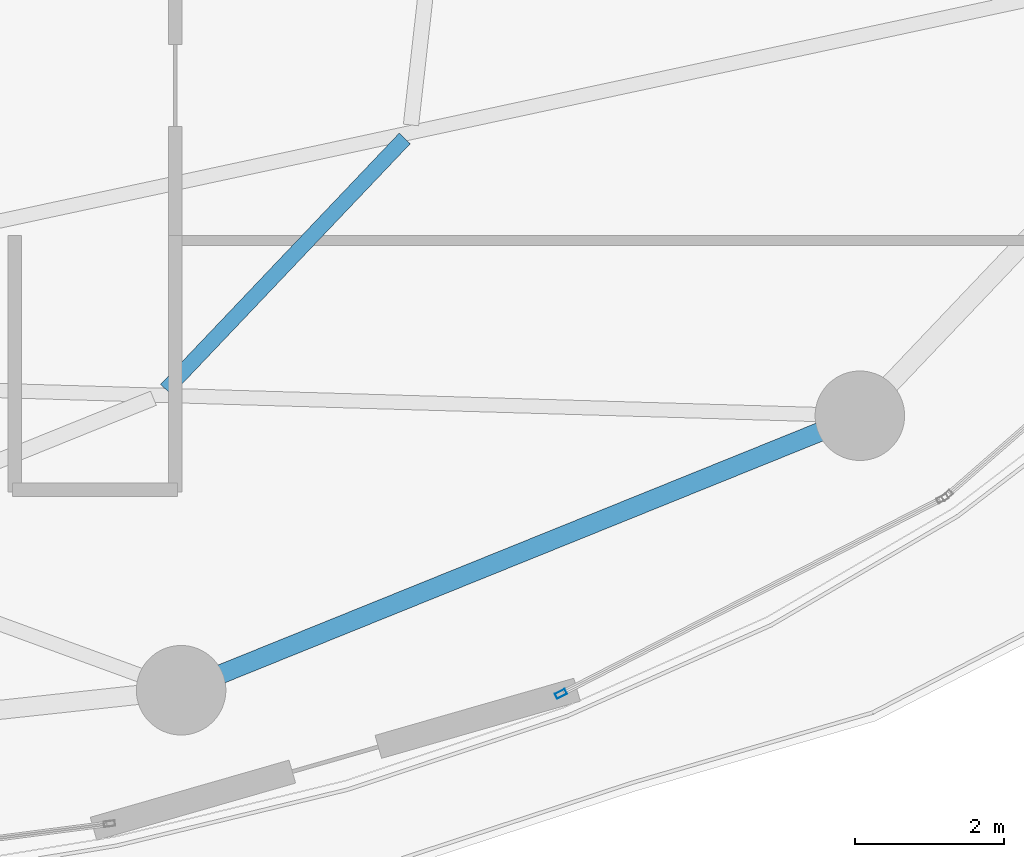
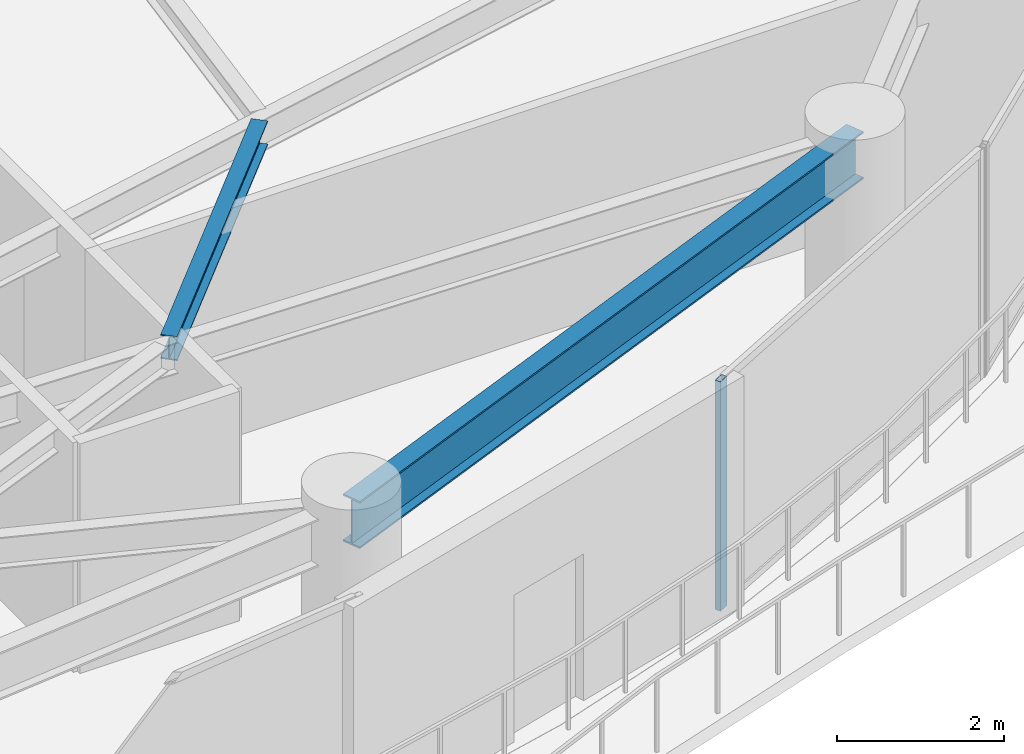
# One storey, part 11 of 30: 2 beams, 1 member, 1 element without a shape of its own.
"""IFC4 building model written with IfcOpenShell, lengths in metres."""

from ifc_helpers import new_model, si_unit, direction, frame, origin, origin_2d, place, context, subcontext, project, spatial, hollow_rectangle, i_section, extrude, material, layer, layer_set, material_profile, profile_set, type_object, element, aggregate, save


model = new_model("IFC4")

# Units and contexts
model_context = context("Model", 3, precision=1e-05, world=origin(), true_north=direction((0.0, 1.0)))
body_context = subcontext(model_context, "Body", "Model", "MODEL_VIEW")
ifc_project = project(units=[si_unit("LENGTHUNIT", "METRE"), si_unit("AREAUNIT", "SQUARE_METRE"), si_unit("VOLUMEUNIT", "CUBIC_METRE"), si_unit("PLANEANGLEUNIT", "RADIAN"), si_unit("MASSUNIT", "GRAM", prefix="KILO")], contexts=[model_context])

# Site, building, storey
site_placement = place(None, origin())
site = spatial("IfcSite", under=ifc_project, at=site_placement, CompositionType="ELEMENT")
building_placement = place(site_placement, origin())
building = spatial("IfcBuilding", under=site, at=building_placement, Name="Kazevale Care Tower and Concert Hall", CompositionType="ELEMENT")
storey_placement = place(building_placement, frame((0.0, 0.0, 127.800048828125)))
storey = spatial("IfcBuildingStorey", under=building, at=storey_placement, Name="L33", CompositionType="ELEMENT", Elevation=127.800048828125)

# Curtain wall, member
ifc_material_1 = material(Name="Aluminium 6063-T6 and Low-E Glass", Category="aluminium")
ifc_layer = layer(ifc_material_1, 0.179931640625)
ifc_layer_set = layer_set([ifc_layer], Name="Aluminium 6063-T6 and Low-E Glass")
curtain_wall_type = type_object("IfcCurtainWallType", Name="Sheltered Concave Balcony Curtain Wall CW-5", PredefinedType="NOTDEFINED", material=ifc_layer_set)
curtain_wall_placement = place(storey_placement, origin())
curtain_wall = element("IfcCurtainWall", 1, at=curtain_wall_placement, inside=storey, type_object=curtain_wall_type, Name="cw:L33:f03", PredefinedType="NOTDEFINED")
ifc_material_2 = material(Name="Aluminium 6063-T6", Category="aluminium")
ifc_material_profile_1 = material_profile(ifc_material_2, hollow_rectangle(XDim=0.074951171875, YDim=0.14990234375, WallThickness=0.00390625, at=origin_2d()), Name="ALU75x150x4")
ifc_profile_set_1 = profile_set([ifc_material_profile_1], Name="Aluminium 6063-T6")
member_type = type_object("IfcMemberType", Name="CW-5 Mullion ALU75x150x4", PredefinedType="MULLION", material=ifc_profile_set_1)
member_placement = place(storey_placement, frame((60.822265625, 19.26220703125, 0.0), z_axis=(0.0, 0.0, 1.0), x_axis=(0.455713236575, -0.890126646051, 0.0)))
member = element("IfcMember", 2, at=member_placement, type_object=member_type, Name="CW-5 mullion 2", PredefinedType="MULLION", context=body_context, shape_type="SweptSolid", body=[
    extrude(hollow_rectangle(XDim=0.074951171875, YDim=0.14990234375, WallThickness=0.00390625, at=origin_2d()), origin(), (0.0, 0.0, 1.0), 3.35986328125),
])
aggregate(curtain_wall, [member])

# Beams
ifc_material_3 = material(Name="Steel ASTM A572 Gr 50", Category="steel")
ifc_material_profile_2 = material_profile(ifc_material_3, i_section(OverallWidth=0.205078125, OverallDepth=0.35400390625, WebThickness=0.009521484375, FlangeThickness=0.016845703125, at=origin_2d()), Name="W360x79")
ifc_profile_set_2 = profile_set([ifc_material_profile_2], Name="Steel ASTM A572 Gr 50")
beam_type_1 = type_object("IfcBeamType", Name="Secondary Floor Joist W360x79", PredefinedType="JOIST", material=ifc_profile_set_2)
beam_1_placement = place(storey_placement, frame((55.529052734375, 23.341064453125, 3.182861328125), z_axis=(0.688792288395, 0.724958746032, 0.0), x_axis=(-0.724958746032, 0.688792288395, 0.0)))
element("IfcBeam", 3, at=beam_1_placement, inside=storey, type_object=beam_type_1, Name="beam:L33:joist:15", PredefinedType="JOIST", context=body_context, shape_type="SweptSolid", body=[
    extrude(i_section(OverallWidth=0.205078125, OverallDepth=0.35400390625, WebThickness=0.009521484375, FlangeThickness=0.016845703125, at=origin_2d()), origin(), (0.0, 0.0, 1.0), 4.644287109375),
])
ifc_material_profile_3 = material_profile(ifc_material_3, i_section(OverallWidth=0.256103515625, OverallDepth=0.693115234375, WebThickness=0.014404296875, FlangeThickness=0.023681640625, at=origin_2d()), Name="W690x170")
ifc_profile_set_3 = profile_set([ifc_material_profile_3], Name="Steel ASTM A572 Gr 50")
beam_type_2 = type_object("IfcBeamType", Name="Waist Ring Beam W690x170", PredefinedType="BEAM", material=ifc_profile_set_3)
beam_2_placement = place(storey_placement, frame((55.72998046875, 19.31005859375, 3.013427734375), z_axis=(0.927068687828, 0.374891515041, 0.0), x_axis=(-0.374891515041, 0.927068687828, 0.0)))
element("IfcBeam", 4, at=beam_2_placement, inside=storey, type_object=beam_type_2, Name="beam:L33:ring:14", PredefinedType="BEAM", context=body_context, shape_type="SweptSolid", body=[
    extrude(i_section(OverallWidth=0.256103515625, OverallDepth=0.693115234375, WebThickness=0.014404296875, FlangeThickness=0.023681640625, at=origin_2d()), origin(), (0.0, 0.0, 1.0), 9.81591796875),
])

save(model, "model.ifc")
